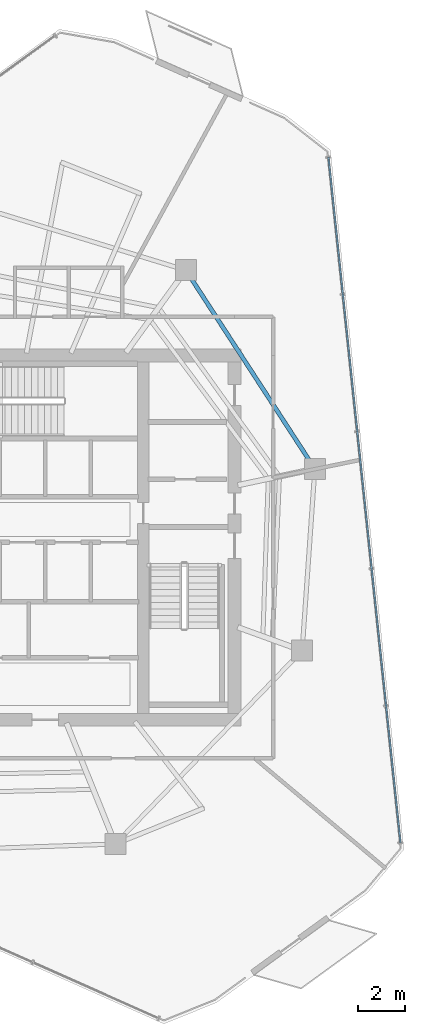
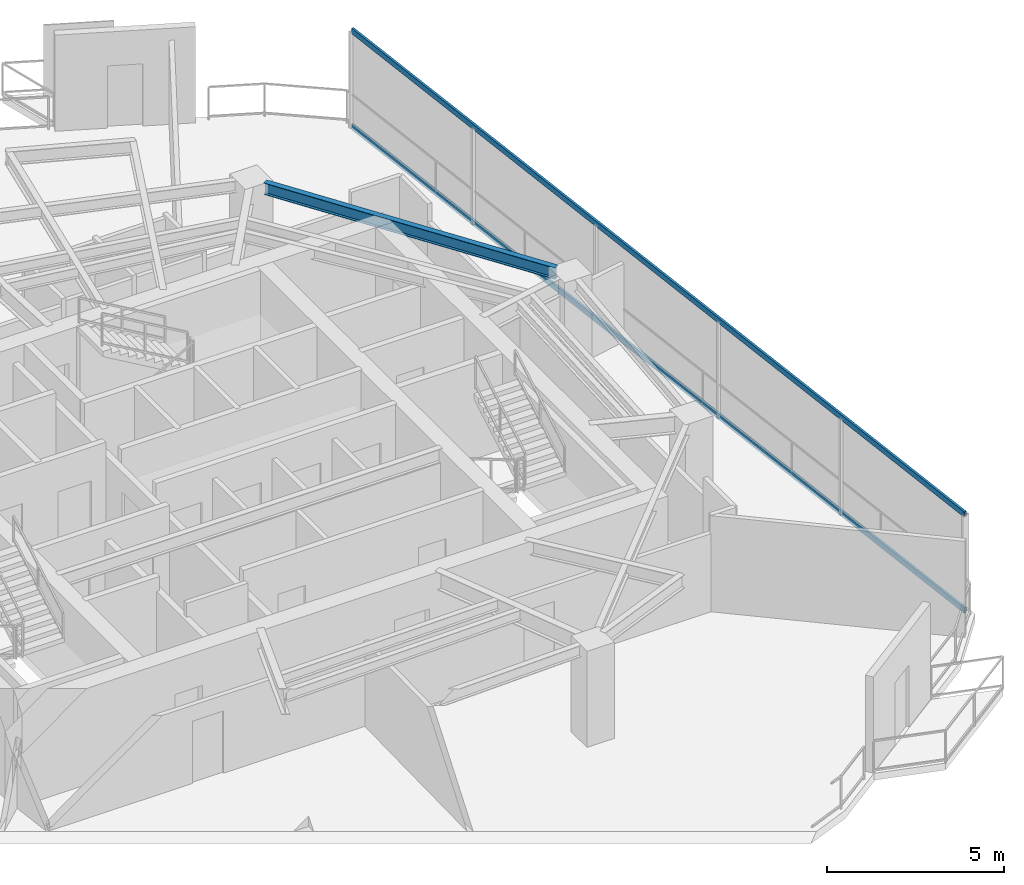
# One storey, part 10 of 20: 2 members, 1 beam, 1 element without a shape of its own.
"""IFC4 building model written with IfcOpenShell, lengths in metres."""

from ifc_helpers import new_model, si_unit, direction, frame, origin, origin_2d, place, context, subcontext, project, spatial, hollow_rectangle, i_section, extrude, material, layer, layer_set, material_profile, profile_set, type_object, element, aggregate, save


model = new_model("IFC4")

# Units and contexts
model_context = context("Model", 3, precision=1e-05, world=origin(), true_north=direction((0.0, 1.0)))
body_context = subcontext(model_context, "Body", "Model", "MODEL_VIEW")
ifc_project = project(units=[si_unit("LENGTHUNIT", "METRE"), si_unit("AREAUNIT", "SQUARE_METRE"), si_unit("VOLUMEUNIT", "CUBIC_METRE"), si_unit("PLANEANGLEUNIT", "RADIAN"), si_unit("MASSUNIT", "GRAM", prefix="KILO")], contexts=[model_context])

# Site, building, storey
site_placement = place(None, origin())
site = spatial("IfcSite", under=ifc_project, at=site_placement, CompositionType="ELEMENT")
building_placement = place(site_placement, origin())
building = spatial("IfcBuilding", under=site, at=building_placement, Name="Qarnah Convention Tower", CompositionType="ELEMENT")
storey_placement = place(building_placement, frame((0.0, 0.0, 202.199951171875)))
storey = spatial("IfcBuildingStorey", under=building, at=storey_placement, Name="L54", CompositionType="ELEMENT", Elevation=202.199951171875)

# Beam
ifc_material_1 = material(Name="Structural steel S355JR", Category="steel")
ifc_material_profile_1 = material_profile(ifc_material_1, i_section(OverallWidth=0.179931640625, OverallDepth=0.39990234375, WebThickness=0.009033203125, FlangeThickness=0.013916015625, at=origin_2d()), Name="IPE400")
ifc_profile_set_1 = profile_set([ifc_material_profile_1], Name="Structural steel S355JR")
beam_type = type_object("IfcBeamType", Name="BM-SPN-IPE400", PredefinedType="SPANDREL", material=ifc_profile_set_1)
beam_placement = place(storey_placement, frame((50.801025390625, 29.7109375, 3.1201171875), z_axis=(-0.544586178954, 0.838704890705, 0.0), x_axis=(-0.838704890705, -0.544586178954, 0.0)))
element("IfcBeam", 1, at=beam_placement, inside=storey, type_object=beam_type, Name="L54 spandrel BM-L54-SPN-01", PredefinedType="SPANDREL", context=body_context, shape_type="SweptSolid", body=[
    extrude(i_section(OverallWidth=0.179931640625, OverallDepth=0.39990234375, WebThickness=0.009033203125, FlangeThickness=0.013916015625, at=origin_2d()), origin(), (0.0, 0.0, 1.0), 9.261962890625),
])

# Curtain wall, members
ifc_material_2 = material(Name="Tempered Low-E dark glass", Category="glass")
ifc_layer = layer(ifc_material_2, 0.174072265625)
ifc_layer_set = layer_set([ifc_layer], Name="Tempered Low-E dark glass")
curtain_wall_type = type_object("IfcCurtainWallType", Name="CWS-04", PredefinedType="NOTDEFINED", material=ifc_layer_set)
curtain_wall_placement = place(storey_placement, origin())
curtain_wall = element("IfcCurtainWall", 2, at=curtain_wall_placement, inside=storey, type_object=curtain_wall_type, Name="L54 unitised curtain wall CW-L54-F2", PredefinedType="NOTDEFINED")
ifc_material_3 = material(Name="Black anodised aluminium", Category="aluminium")
ifc_material_profile_2 = material_profile(ifc_material_3, hollow_rectangle(XDim=0.074951171875, YDim=0.18994140625, WallThickness=0.0048828125, at=origin_2d()), Name="TRN-75X190")
ifc_profile_set_2 = profile_set([ifc_material_profile_2], Name="Black anodised aluminium")
member_type = type_object("IfcMemberType", Name="TRN-T4", PredefinedType="USERDEFINED", material=ifc_profile_set_2)
member_1_placement = place(storey_placement, frame((51.623046875, 42.68310546875, 0.0), z_axis=(0.104503911156, -0.994524475593, 0.0), x_axis=(0.994524475593, 0.104503911156, 0.0)))
member_1 = element("IfcMember", 3, at=member_1_placement, type_object=member_type, Name="CW-L54-F2 transom 1", ObjectType="TRANSOM", PredefinedType="USERDEFINED", context=body_context, shape_type="SweptSolid", body=[
    extrude(hollow_rectangle(XDim=0.074951171875, YDim=0.18994140625, WallThickness=0.0048828125, at=origin_2d()), origin(), (0.0, 0.0, 1.0), 29.5107421875),
])
member_2_placement = place(storey_placement, frame((51.623046875, 42.68310546875, 3.320068359375), z_axis=(0.104503911156, -0.994524475593, 0.0), x_axis=(0.994524475593, 0.104503911156, 0.0)))
member_2 = element("IfcMember", 4, at=member_2_placement, type_object=member_type, Name="CW-L54-F2 transom 2", ObjectType="TRANSOM", PredefinedType="USERDEFINED", context=body_context, shape_type="SweptSolid", body=[
    extrude(hollow_rectangle(XDim=0.074951171875, YDim=0.18994140625, WallThickness=0.0048828125, at=origin_2d()), origin(), (0.0, 0.0, 1.0), 29.5107421875),
])
aggregate(curtain_wall, [member_1, member_2])

save(model, "model.ifc")
